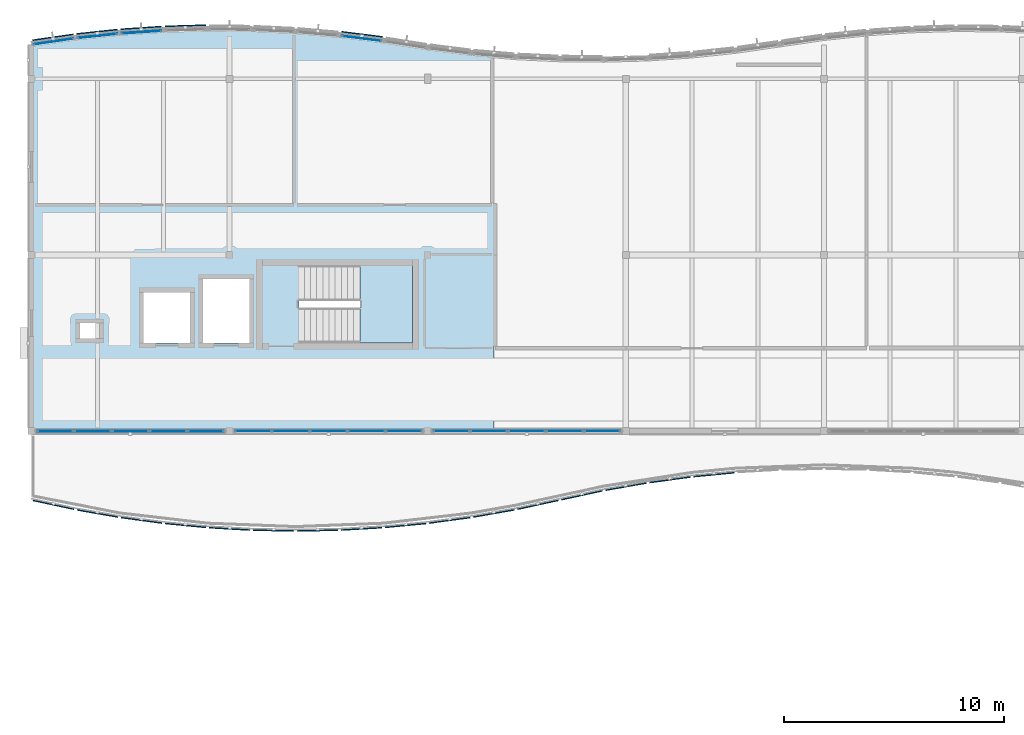
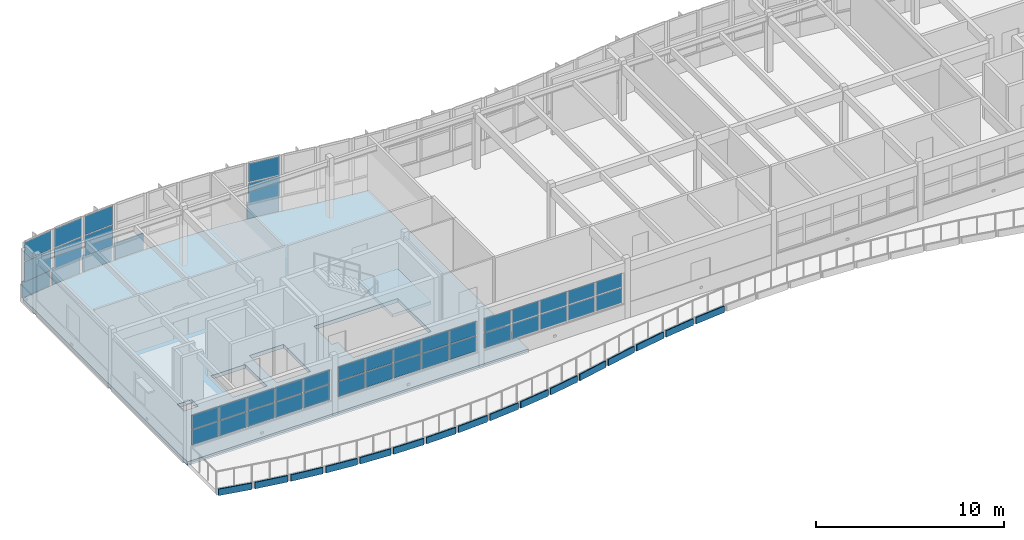
# One storey, part 14 of 33: 59 plates, 2 slabs, 8 elements without a shape of their own.
"""IFC4 building model written with IfcOpenShell, lengths in metres."""

from ifc_helpers import new_model, si_unit, direction, frame, origin, origin_2d, place, context, subcontext, project, spatial, polyline, rectangle, outline, extrude, material, layer, layer_set, type_object, element, aggregate, save


model = new_model("IFC4")

# Units and contexts
model_context = context("Model", 3, precision=1e-05, world=origin(), true_north=direction((0.0, 1.0)))
body_context = subcontext(model_context, "Body", "Model", "MODEL_VIEW")
ifc_project = project(units=[si_unit("LENGTHUNIT", "METRE"), si_unit("AREAUNIT", "SQUARE_METRE"), si_unit("VOLUMEUNIT", "CUBIC_METRE"), si_unit("PLANEANGLEUNIT", "RADIAN"), si_unit("MASSUNIT", "GRAM", prefix="KILO")], contexts=[model_context])

# Site, building, storey
site_placement = place(None, origin())
site = spatial("IfcSite", under=ifc_project, at=site_placement, CompositionType="ELEMENT")
building_placement = place(site_placement, origin())
building = spatial("IfcBuilding", under=site, at=building_placement, Name="Tonlespit Floodbar School", CompositionType="ELEMENT")
storey_placement = place(building_placement, frame((0.0, 0.0, 16.199951171875)))
storey = spatial("IfcBuildingStorey", under=building, at=storey_placement, Name="L04", CompositionType="ELEMENT", Elevation=16.199951171875)

# Curtain wall, plates
ifc_material_1 = material(Name="Anodised Aluminium", Category="aluminium")
ifc_layer_1 = layer(ifc_material_1, 0.159912109375)
ifc_layer_set_1 = layer_set([ifc_layer_1], Name="Anodised Aluminium")
curtain_wall_type_1 = type_object("IfcCurtainWallType", Name="CurtainWall_1950x2700", PredefinedType="NOTDEFINED", material=ifc_layer_set_1)
curtain_wall_1_placement = place(storey_placement, origin())
curtain_wall_1 = element("IfcCurtainWall", 1, at=curtain_wall_1_placement, inside=storey, type_object=curtain_wall_type_1, Name="L04 unitised curtain wall 0173", PredefinedType="NOTDEFINED")
ifc_material_2 = material(Name="Laminated Low-E Glass", Category="glass")
ifc_layer_2 = layer(ifc_material_2, 0.028076171875)
ifc_layer_set_2 = layer_set([ifc_layer_2], Name="Laminated Low-E Glass")
plate_type_1 = type_object("IfcPlateType", Name="CW_Panel_Glaz_28", PredefinedType="CURTAIN_PANEL", material=ifc_layer_set_2)
plate_1_placement = place(storey_placement, frame((59.0, 121.831787109375, 1.01513671875), z_axis=(0.0, 0.0, 1.0), x_axis=(0.992155002499, -0.125013803299, 0.0)))
plate_1 = element("IfcPlate", 2, at=plate_1_placement, type_object=plate_type_1, Name="CW-04 panel 1.1", PredefinedType="CURTAIN_PANEL", context=body_context, shape_type="SweptSolid", body=[
    extrude(rectangle(XDim=1.805908203125, YDim=0.028076171875, at=origin_2d()), origin(), (0.0, 0.0, 1.0), 1.306396484375),
])
plate_2_placement = place(storey_placement, frame((59.0, 121.831787109375, 2.38671875), z_axis=(0.0, 0.0, 1.0), x_axis=(0.992155002499, -0.125013803299, 0.0)))
plate_2 = element("IfcPlate", 3, at=plate_2_placement, type_object=plate_type_1, Name="CW-04 panel 1.2", PredefinedType="CURTAIN_PANEL", context=body_context, shape_type="SweptSolid", body=[
    extrude(rectangle(XDim=1.805908203125, YDim=0.028076171875, at=origin_2d()), origin(), (0.0, 0.0, 1.0), 1.198486328125),
])
aggregate(curtain_wall_1, [plate_1, plate_2])

ifc_layer_3 = layer(ifc_material_1, 0.159912109375)
ifc_layer_set_3 = layer_set([ifc_layer_3], Name="Anodised Aluminium")
curtain_wall_type_2 = type_object("IfcCurtainWallType", Name="CurtainWall_8600x2050", PredefinedType="NOTDEFINED", material=ifc_layer_set_3)
curtain_wall_2_placement = place(storey_placement, origin())
curtain_wall_2 = element("IfcCurtainWall", 4, at=curtain_wall_2_placement, inside=storey, type_object=curtain_wall_type_2, Name="L04 unitised curtain wall 0205", PredefinedType="NOTDEFINED")
plate_3_placement = place(storey_placement, frame((69.923828125, 104.0, 1.01513671875), z_axis=(0.0, 0.0, 1.0), x_axis=(-1.0, 0.0, 0.0)))
plate_3 = element("IfcPlate", 5, at=plate_3_placement, type_object=plate_type_1, Name="CW-08 panel 1.1", PredefinedType="CURTAIN_PANEL", context=body_context, shape_type="SweptSolid", body=[
    extrude(rectangle(XDim=1.62255859375, YDim=0.028076171875, at=origin_2d()), origin(), (0.0, 0.0, 1.0), 0.97265625),
])
plate_4_placement = place(storey_placement, frame((69.923828125, 104.0, 2.052734375), z_axis=(0.0, 0.0, 1.0), x_axis=(-1.0, 0.0, 0.0)))
plate_4 = element("IfcPlate", 6, at=plate_4_placement, type_object=plate_type_1, Name="CW-08 panel 1.2", PredefinedType="CURTAIN_PANEL", context=body_context, shape_type="SweptSolid", body=[
    extrude(rectangle(XDim=1.62255859375, YDim=0.028076171875, at=origin_2d()), origin(), (0.0, 0.0, 1.0), 0.890380859375),
])
plate_5_placement = place(storey_placement, frame((68.219970703125, 104.0, 1.01513671875), z_axis=(0.0, 0.0, 1.0), x_axis=(-1.0, 0.0, 0.0)))
plate_5 = element("IfcPlate", 7, at=plate_5_placement, type_object=plate_type_1, Name="CW-08 panel 2.1", PredefinedType="CURTAIN_PANEL", context=body_context, shape_type="SweptSolid", body=[
    extrude(rectangle(XDim=1.655029296875, YDim=0.028076171875, at=origin_2d()), origin(), (0.0, 0.0, 1.0), 0.97265625),
])
plate_6_placement = place(storey_placement, frame((68.219970703125, 104.0, 2.052734375), z_axis=(0.0, 0.0, 1.0), x_axis=(-1.0, 0.0, 0.0)))
plate_6 = element("IfcPlate", 8, at=plate_6_placement, type_object=plate_type_1, Name="CW-08 panel 2.2", PredefinedType="CURTAIN_PANEL", context=body_context, shape_type="SweptSolid", body=[
    extrude(rectangle(XDim=1.655029296875, YDim=0.028076171875, at=origin_2d()), origin(), (0.0, 0.0, 1.0), 0.890380859375),
])
plate_7_placement = place(storey_placement, frame((66.5, 104.0, 1.01513671875), z_axis=(0.0, 0.0, 1.0), x_axis=(-1.0, 0.0, 0.0)))
plate_7 = element("IfcPlate", 9, at=plate_7_placement, type_object=plate_type_1, Name="CW-08 panel 3.1", PredefinedType="CURTAIN_PANEL", context=body_context, shape_type="SweptSolid", body=[
    extrude(rectangle(XDim=1.655029296875, YDim=0.028076171875, at=origin_2d()), origin(), (0.0, 0.0, 1.0), 0.97265625),
])
plate_8_placement = place(storey_placement, frame((66.5, 104.0, 2.052734375), z_axis=(0.0, 0.0, 1.0), x_axis=(-1.0, 0.0, 0.0)))
plate_8 = element("IfcPlate", 10, at=plate_8_placement, type_object=plate_type_1, Name="CW-08 panel 3.2", PredefinedType="CURTAIN_PANEL", context=body_context, shape_type="SweptSolid", body=[
    extrude(rectangle(XDim=1.655029296875, YDim=0.028076171875, at=origin_2d()), origin(), (0.0, 0.0, 1.0), 0.890380859375),
])
plate_9_placement = place(storey_placement, frame((64.780029296875, 104.0, 1.01513671875), z_axis=(0.0, 0.0, 1.0), x_axis=(-1.0, 0.0, 0.0)))
plate_9 = element("IfcPlate", 11, at=plate_9_placement, type_object=plate_type_1, Name="CW-08 panel 4.1", PredefinedType="CURTAIN_PANEL", context=body_context, shape_type="SweptSolid", body=[
    extrude(rectangle(XDim=1.655029296875, YDim=0.028076171875, at=origin_2d()), origin(), (0.0, 0.0, 1.0), 0.97265625),
])
plate_10_placement = place(storey_placement, frame((64.780029296875, 104.0, 2.052734375), z_axis=(0.0, 0.0, 1.0), x_axis=(-1.0, 0.0, 0.0)))
plate_10 = element("IfcPlate", 12, at=plate_10_placement, type_object=plate_type_1, Name="CW-08 panel 4.2", PredefinedType="CURTAIN_PANEL", context=body_context, shape_type="SweptSolid", body=[
    extrude(rectangle(XDim=1.655029296875, YDim=0.028076171875, at=origin_2d()), origin(), (0.0, 0.0, 1.0), 0.890380859375),
])
plate_11_placement = place(storey_placement, frame((63.076171875, 104.0, 1.01513671875), z_axis=(0.0, 0.0, 1.0), x_axis=(-1.0, 0.0, 0.0)))
plate_11 = element("IfcPlate", 13, at=plate_11_placement, type_object=plate_type_1, Name="CW-08 panel 5.1", PredefinedType="CURTAIN_PANEL", context=body_context, shape_type="SweptSolid", body=[
    extrude(rectangle(XDim=1.62255859375, YDim=0.028076171875, at=origin_2d()), origin(), (0.0, 0.0, 1.0), 0.97265625),
])
plate_12_placement = place(storey_placement, frame((63.076171875, 104.0, 2.052734375), z_axis=(0.0, 0.0, 1.0), x_axis=(-1.0, 0.0, 0.0)))
plate_12 = element("IfcPlate", 14, at=plate_12_placement, type_object=plate_type_1, Name="CW-08 panel 5.2", PredefinedType="CURTAIN_PANEL", context=body_context, shape_type="SweptSolid", body=[
    extrude(rectangle(XDim=1.62255859375, YDim=0.028076171875, at=origin_2d()), origin(), (0.0, 0.0, 1.0), 0.890380859375),
])
aggregate(curtain_wall_2, [plate_3, plate_4, plate_5, plate_6, plate_7, plate_8, plate_9, plate_10, plate_11, plate_12])

curtain_wall_3_placement = place(storey_placement, origin())
curtain_wall_3 = element("IfcCurtainWall", 15, at=curtain_wall_3_placement, inside=storey, type_object=curtain_wall_type_1, Name="L04 unitised curtain wall 0166", PredefinedType="NOTDEFINED")
ifc_layer_4 = layer(ifc_material_2, 0.031982421875)
ifc_layer_set_4 = layer_set([ifc_layer_4], Name="Laminated Low-E Glass")
plate_type_2 = type_object("IfcPlateType", Name="CW_Panel_Glaz_32", PredefinedType="CURTAIN_PANEL", material=ifc_layer_set_4)
plate_13_placement = place(storey_placement, frame((45.0, 121.69580078125, 1.01513671875), z_axis=(0.0, 0.0, 1.0), x_axis=(0.989541561858, 0.144248041079, 0.0)))
plate_13 = element("IfcPlate", 16, at=plate_13_placement, type_object=plate_type_2, Name="CW-04 panel 1.1", PredefinedType="CURTAIN_PANEL", context=body_context, shape_type="SweptSolid", body=[
    extrude(rectangle(XDim=1.81103515625, YDim=0.031982421875, at=origin_2d()), origin(), (0.0, 0.0, 1.0), 1.306396484375),
])
plate_14_placement = place(storey_placement, frame((45.0, 121.69580078125, 2.38671875), z_axis=(0.0, 0.0, 1.0), x_axis=(0.989541561858, 0.144248041079, 0.0)))
plate_14 = element("IfcPlate", 17, at=plate_14_placement, type_object=plate_type_2, Name="CW-04 panel 1.2", PredefinedType="CURTAIN_PANEL", context=body_context, shape_type="SweptSolid", body=[
    extrude(rectangle(XDim=1.81103515625, YDim=0.031982421875, at=origin_2d()), origin(), (0.0, 0.0, 1.0), 1.198486328125),
])
aggregate(curtain_wall_3, [plate_13, plate_14])

curtain_wall_4_placement = place(storey_placement, origin())
curtain_wall_4 = element("IfcCurtainWall", 18, at=curtain_wall_4_placement, inside=storey, type_object=curtain_wall_type_2, Name="L04 unitised curtain wall 0206", PredefinedType="NOTDEFINED")
plate_15_placement = place(storey_placement, frame((60.923828125, 104.0, 1.01513671875), z_axis=(0.0, 0.0, 1.0), x_axis=(-1.0, 0.0, 0.0)))
plate_15 = element("IfcPlate", 19, at=plate_15_placement, type_object=plate_type_2, Name="CW-08 panel 1.1", PredefinedType="CURTAIN_PANEL", context=body_context, shape_type="SweptSolid", body=[
    extrude(rectangle(XDim=1.62255859375, YDim=0.031982421875, at=origin_2d()), origin(), (0.0, 0.0, 1.0), 0.9736328125),
])
plate_16_placement = place(storey_placement, frame((60.923828125, 104.0, 2.0537109375), z_axis=(0.0, 0.0, 1.0), x_axis=(-1.0, 0.0, 0.0)))
plate_16 = element("IfcPlate", 20, at=plate_16_placement, type_object=plate_type_2, Name="CW-08 panel 1.2", PredefinedType="CURTAIN_PANEL", context=body_context, shape_type="SweptSolid", body=[
    extrude(rectangle(XDim=1.62255859375, YDim=0.031982421875, at=origin_2d()), origin(), (0.0, 0.0, 1.0), 0.891357421875),
])
plate_17_placement = place(storey_placement, frame((59.219970703125, 104.0, 1.01513671875), z_axis=(0.0, 0.0, 1.0), x_axis=(-1.0, 0.0, 0.0)))
plate_17 = element("IfcPlate", 21, at=plate_17_placement, type_object=plate_type_2, Name="CW-08 panel 2.1", PredefinedType="CURTAIN_PANEL", context=body_context, shape_type="SweptSolid", body=[
    extrude(rectangle(XDim=1.655029296875, YDim=0.031982421875, at=origin_2d()), origin(), (0.0, 0.0, 1.0), 0.9736328125),
])
plate_18_placement = place(storey_placement, frame((59.219970703125, 104.0, 2.0537109375), z_axis=(0.0, 0.0, 1.0), x_axis=(-1.0, 0.0, 0.0)))
plate_18 = element("IfcPlate", 22, at=plate_18_placement, type_object=plate_type_2, Name="CW-08 panel 2.2", PredefinedType="CURTAIN_PANEL", context=body_context, shape_type="SweptSolid", body=[
    extrude(rectangle(XDim=1.655029296875, YDim=0.031982421875, at=origin_2d()), origin(), (0.0, 0.0, 1.0), 0.891357421875),
])
plate_19_placement = place(storey_placement, frame((57.5, 104.0, 1.01513671875), z_axis=(0.0, 0.0, 1.0), x_axis=(-1.0, 0.0, 0.0)))
plate_19 = element("IfcPlate", 23, at=plate_19_placement, type_object=plate_type_2, Name="CW-08 panel 3.1", PredefinedType="CURTAIN_PANEL", context=body_context, shape_type="SweptSolid", body=[
    extrude(rectangle(XDim=1.655029296875, YDim=0.031982421875, at=origin_2d()), origin(), (0.0, 0.0, 1.0), 0.9736328125),
])
plate_20_placement = place(storey_placement, frame((57.5, 104.0, 2.0537109375), z_axis=(0.0, 0.0, 1.0), x_axis=(-1.0, 0.0, 0.0)))
plate_20 = element("IfcPlate", 24, at=plate_20_placement, type_object=plate_type_2, Name="CW-08 panel 3.2", PredefinedType="CURTAIN_PANEL", context=body_context, shape_type="SweptSolid", body=[
    extrude(rectangle(XDim=1.655029296875, YDim=0.031982421875, at=origin_2d()), origin(), (0.0, 0.0, 1.0), 0.891357421875),
])
plate_21_placement = place(storey_placement, frame((55.780029296875, 104.0, 1.01513671875), z_axis=(0.0, 0.0, 1.0), x_axis=(-1.0, 0.0, 0.0)))
plate_21 = element("IfcPlate", 25, at=plate_21_placement, type_object=plate_type_2, Name="CW-08 panel 4.1", PredefinedType="CURTAIN_PANEL", context=body_context, shape_type="SweptSolid", body=[
    extrude(rectangle(XDim=1.655029296875, YDim=0.031982421875, at=origin_2d()), origin(), (0.0, 0.0, 1.0), 0.9736328125),
])
plate_22_placement = place(storey_placement, frame((55.780029296875, 104.0, 2.0537109375), z_axis=(0.0, 0.0, 1.0), x_axis=(-1.0, 0.0, 0.0)))
plate_22 = element("IfcPlate", 26, at=plate_22_placement, type_object=plate_type_2, Name="CW-08 panel 4.2", PredefinedType="CURTAIN_PANEL", context=body_context, shape_type="SweptSolid", body=[
    extrude(rectangle(XDim=1.655029296875, YDim=0.031982421875, at=origin_2d()), origin(), (0.0, 0.0, 1.0), 0.891357421875),
])
plate_23_placement = place(storey_placement, frame((54.076171875, 104.0, 1.01513671875), z_axis=(0.0, 0.0, 1.0), x_axis=(-1.0, 0.0, 0.0)))
plate_23 = element("IfcPlate", 27, at=plate_23_placement, type_object=plate_type_2, Name="CW-08 panel 5.1", PredefinedType="CURTAIN_PANEL", context=body_context, shape_type="SweptSolid", body=[
    extrude(rectangle(XDim=1.62255859375, YDim=0.031982421875, at=origin_2d()), origin(), (0.0, 0.0, 1.0), 0.9736328125),
])
plate_24_placement = place(storey_placement, frame((54.076171875, 104.0, 2.0537109375), z_axis=(0.0, 0.0, 1.0), x_axis=(-1.0, 0.0, 0.0)))
plate_24 = element("IfcPlate", 28, at=plate_24_placement, type_object=plate_type_2, Name="CW-08 panel 5.2", PredefinedType="CURTAIN_PANEL", context=body_context, shape_type="SweptSolid", body=[
    extrude(rectangle(XDim=1.62255859375, YDim=0.031982421875, at=origin_2d()), origin(), (0.0, 0.0, 1.0), 0.891357421875),
])
aggregate(curtain_wall_4, [plate_15, plate_16, plate_17, plate_18, plate_19, plate_20, plate_21, plate_22, plate_23, plate_24])

curtain_wall_5_placement = place(storey_placement, origin())
curtain_wall_5 = element("IfcCurtainWall", 29, at=curtain_wall_5_placement, inside=storey, type_object=curtain_wall_type_1, Name="L04 unitised curtain wall 0167", PredefinedType="NOTDEFINED")
ifc_layer_5 = layer(ifc_material_2, 0.035888671875)
ifc_layer_set_5 = layer_set([ifc_layer_5], Name="Laminated Low-E Glass")
plate_type_3 = type_object("IfcPlateType", Name="CW_Panel_Glaz_36", PredefinedType="CURTAIN_PANEL", material=ifc_layer_set_5)
plate_25_placement = place(storey_placement, frame((47.0, 121.947998046875, 1.01513671875), z_axis=(0.0, 0.0, 1.0), x_axis=(0.994388797288, 0.105787143968, 0.0)))
plate_25 = element("IfcPlate", 30, at=plate_25_placement, type_object=plate_type_3, Name="CW-04 panel 1.1", PredefinedType="CURTAIN_PANEL", context=body_context, shape_type="SweptSolid", body=[
    extrude(rectangle(XDim=1.80126953125, YDim=0.035888671875, at=origin_2d()), origin(), (0.0, 0.0, 1.0), 1.306396484375),
])
plate_26_placement = place(storey_placement, frame((47.0, 121.947998046875, 2.38671875), z_axis=(0.0, 0.0, 1.0), x_axis=(0.994388797288, 0.105787143968, 0.0)))
plate_26 = element("IfcPlate", 31, at=plate_26_placement, type_object=plate_type_3, Name="CW-04 panel 1.2", PredefinedType="CURTAIN_PANEL", context=body_context, shape_type="SweptSolid", body=[
    extrude(rectangle(XDim=1.80126953125, YDim=0.035888671875, at=origin_2d()), origin(), (0.0, 0.0, 1.0), 1.198486328125),
])
aggregate(curtain_wall_5, [plate_25, plate_26])

curtain_wall_6_placement = place(storey_placement, origin())
curtain_wall_6 = element("IfcCurtainWall", 32, at=curtain_wall_6_placement, inside=storey, type_object=curtain_wall_type_2, Name="L04 unitised curtain wall 0207", PredefinedType="NOTDEFINED")
plate_27_placement = place(storey_placement, frame((51.923828125, 104.0, 1.01513671875), z_axis=(0.0, 0.0, 1.0), x_axis=(-1.0, 0.0, 0.0)))
plate_27 = element("IfcPlate", 33, at=plate_27_placement, type_object=plate_type_3, Name="CW-08 panel 1.1", PredefinedType="CURTAIN_PANEL", context=body_context, shape_type="SweptSolid", body=[
    extrude(rectangle(XDim=1.62255859375, YDim=0.035888671875, at=origin_2d()), origin(), (0.0, 0.0, 1.0), 0.9736328125),
])
plate_28_placement = place(storey_placement, frame((51.923828125, 104.0, 2.0537109375), z_axis=(0.0, 0.0, 1.0), x_axis=(-1.0, 0.0, 0.0)))
plate_28 = element("IfcPlate", 34, at=plate_28_placement, type_object=plate_type_3, Name="CW-08 panel 1.2", PredefinedType="CURTAIN_PANEL", context=body_context, shape_type="SweptSolid", body=[
    extrude(rectangle(XDim=1.62255859375, YDim=0.035888671875, at=origin_2d()), origin(), (0.0, 0.0, 1.0), 0.891357421875),
])
plate_29_placement = place(storey_placement, frame((50.219970703125, 104.0, 1.01513671875), z_axis=(0.0, 0.0, 1.0), x_axis=(-1.0, 0.0, 0.0)))
plate_29 = element("IfcPlate", 35, at=plate_29_placement, type_object=plate_type_3, Name="CW-08 panel 2.1", PredefinedType="CURTAIN_PANEL", context=body_context, shape_type="SweptSolid", body=[
    extrude(rectangle(XDim=1.655029296875, YDim=0.035888671875, at=origin_2d()), origin(), (0.0, 0.0, 1.0), 0.9736328125),
])
plate_30_placement = place(storey_placement, frame((50.219970703125, 104.0, 2.0537109375), z_axis=(0.0, 0.0, 1.0), x_axis=(-1.0, 0.0, 0.0)))
plate_30 = element("IfcPlate", 36, at=plate_30_placement, type_object=plate_type_3, Name="CW-08 panel 2.2", PredefinedType="CURTAIN_PANEL", context=body_context, shape_type="SweptSolid", body=[
    extrude(rectangle(XDim=1.655029296875, YDim=0.035888671875, at=origin_2d()), origin(), (0.0, 0.0, 1.0), 0.891357421875),
])
plate_31_placement = place(storey_placement, frame((48.5, 104.0, 1.01513671875), z_axis=(0.0, 0.0, 1.0), x_axis=(-1.0, 0.0, 0.0)))
plate_31 = element("IfcPlate", 37, at=plate_31_placement, type_object=plate_type_3, Name="CW-08 panel 3.1", PredefinedType="CURTAIN_PANEL", context=body_context, shape_type="SweptSolid", body=[
    extrude(rectangle(XDim=1.655029296875, YDim=0.035888671875, at=origin_2d()), origin(), (0.0, 0.0, 1.0), 0.9736328125),
])
plate_32_placement = place(storey_placement, frame((48.5, 104.0, 2.0537109375), z_axis=(0.0, 0.0, 1.0), x_axis=(-1.0, 0.0, 0.0)))
plate_32 = element("IfcPlate", 38, at=plate_32_placement, type_object=plate_type_3, Name="CW-08 panel 3.2", PredefinedType="CURTAIN_PANEL", context=body_context, shape_type="SweptSolid", body=[
    extrude(rectangle(XDim=1.655029296875, YDim=0.035888671875, at=origin_2d()), origin(), (0.0, 0.0, 1.0), 0.891357421875),
])
plate_33_placement = place(storey_placement, frame((46.780029296875, 104.0, 1.01513671875), z_axis=(0.0, 0.0, 1.0), x_axis=(-1.0, 0.0, 0.0)))
plate_33 = element("IfcPlate", 39, at=plate_33_placement, type_object=plate_type_3, Name="CW-08 panel 4.1", PredefinedType="CURTAIN_PANEL", context=body_context, shape_type="SweptSolid", body=[
    extrude(rectangle(XDim=1.655029296875, YDim=0.035888671875, at=origin_2d()), origin(), (0.0, 0.0, 1.0), 0.9736328125),
])
plate_34_placement = place(storey_placement, frame((46.780029296875, 104.0, 2.0537109375), z_axis=(0.0, 0.0, 1.0), x_axis=(-1.0, 0.0, 0.0)))
plate_34 = element("IfcPlate", 40, at=plate_34_placement, type_object=plate_type_3, Name="CW-08 panel 4.2", PredefinedType="CURTAIN_PANEL", context=body_context, shape_type="SweptSolid", body=[
    extrude(rectangle(XDim=1.655029296875, YDim=0.035888671875, at=origin_2d()), origin(), (0.0, 0.0, 1.0), 0.891357421875),
])
plate_35_placement = place(storey_placement, frame((45.076171875, 104.0, 1.01513671875), z_axis=(0.0, 0.0, 1.0), x_axis=(-1.0, 0.0, 0.0)))
plate_35 = element("IfcPlate", 41, at=plate_35_placement, type_object=plate_type_3, Name="CW-08 panel 5.1", PredefinedType="CURTAIN_PANEL", context=body_context, shape_type="SweptSolid", body=[
    extrude(rectangle(XDim=1.62255859375, YDim=0.035888671875, at=origin_2d()), origin(), (0.0, 0.0, 1.0), 0.9736328125),
])
plate_36_placement = place(storey_placement, frame((45.076171875, 104.0, 2.0537109375), z_axis=(0.0, 0.0, 1.0), x_axis=(-1.0, 0.0, 0.0)))
plate_36 = element("IfcPlate", 42, at=plate_36_placement, type_object=plate_type_3, Name="CW-08 panel 5.2", PredefinedType="CURTAIN_PANEL", context=body_context, shape_type="SweptSolid", body=[
    extrude(rectangle(XDim=1.62255859375, YDim=0.035888671875, at=origin_2d()), origin(), (0.0, 0.0, 1.0), 0.891357421875),
])
aggregate(curtain_wall_6, [plate_27, plate_28, plate_29, plate_30, plate_31, plate_32, plate_33, plate_34, plate_35, plate_36])

ifc_layer_6 = layer(ifc_material_1, 0.159912109375)
ifc_layer_set_6 = layer_set([ifc_layer_6], Name="Anodised Aluminium")
curtain_wall_type_3 = type_object("IfcCurtainWallType", Name="CurtainWall_1900x2700", PredefinedType="NOTDEFINED", material=ifc_layer_set_6)
curtain_wall_7_placement = place(storey_placement, origin())
curtain_wall_7 = element("IfcCurtainWall", 43, at=curtain_wall_7_placement, inside=storey, type_object=curtain_wall_type_3, Name="L04 unitised curtain wall 0168", PredefinedType="NOTDEFINED")
ifc_layer_7 = layer(ifc_material_2, 0.0419921875)
ifc_layer_set_7 = layer_set([ifc_layer_7], Name="Laminated Low-E Glass")
plate_type_4 = type_object("IfcPlateType", Name="CW_Panel_Glaz_42", PredefinedType="CURTAIN_PANEL", material=ifc_layer_set_7)
plate_37_placement = place(storey_placement, frame((49.0, 122.121826171875, 1.01513671875), z_axis=(0.0, 0.0, 1.0), x_axis=(0.99773010165, 0.067339767311, 0.0)))
plate_37 = element("IfcPlate", 44, at=plate_37_placement, type_object=plate_type_4, Name="CW-05 panel 1.1", PredefinedType="CURTAIN_PANEL", context=body_context, shape_type="SweptSolid", body=[
    extrude(rectangle(XDim=1.794677734375, YDim=0.0419921875, at=origin_2d()), origin(), (0.0, 0.0, 1.0), 1.306396484375),
])
plate_38_placement = place(storey_placement, frame((49.0, 122.121826171875, 2.38671875), z_axis=(0.0, 0.0, 1.0), x_axis=(0.99773010165, 0.067339767311, 0.0)))
plate_38 = element("IfcPlate", 45, at=plate_38_placement, type_object=plate_type_4, Name="CW-05 panel 1.2", PredefinedType="CURTAIN_PANEL", context=body_context, shape_type="SweptSolid", body=[
    extrude(rectangle(XDim=1.794677734375, YDim=0.0419921875, at=origin_2d()), origin(), (0.0, 0.0, 1.0), 1.198486328125),
])
aggregate(curtain_wall_7, [plate_37, plate_38])

# Plates
ifc_material_3 = material(Name="White Architectural Aluminium", Category="aluminium")
ifc_layer_8 = layer(ifc_material_3, 0.06494140625)
ifc_layer_set_8 = layer_set([ifc_layer_8], Name="White Architectural Aluminium")
plate_type_5 = type_object("IfcPlateType", Name="FacadeRibbon_White_65", PredefinedType="SHEET", material=ifc_layer_set_8)
plate_39_placement = place(storey_placement, frame((44.9736328125, 121.8759765625, -0.1201171875), z_axis=(0.0, 0.0, 1.0), x_axis=(0.989537627347, 0.144275029245, 0.0)))
element("IfcPlate", 46, at=plate_39_placement, inside=storey, type_object=plate_type_5, Name="L04 flowing white street spandrel ribbon 0297", PredefinedType="SHEET", context=body_context, shape_type="SweptSolid", body=[
    extrude(rectangle(XDim=1.861083984375, YDim=0.06494140625, at=origin_2d()), origin(), (0.0, 0.0, 1.0), 1.070068359375),
])
plate_40_placement = place(storey_placement, frame((46.980712890625, 122.12890625, -0.1201171875), z_axis=(0.0, 0.0, 1.0), x_axis=(0.99439234017, 0.105753835922, 0.0)))
element("IfcPlate", 47, at=plate_40_placement, inside=storey, type_object=plate_type_5, Name="L04 flowing white street spandrel ribbon 0298", PredefinedType="SHEET", context=body_context, shape_type="SweptSolid", body=[
    extrude(rectangle(XDim=1.851318359375, YDim=0.06494140625, at=origin_2d()), origin(), (0.0, 0.0, 1.0), 1.070068359375),
])
plate_41_placement = place(storey_placement, frame((48.98779296875, 122.303466796875, -0.1201171875), z_axis=(0.0, 0.0, 1.0), x_axis=(0.997729639049, 0.067346621018, 0.0)))
element("IfcPlate", 48, at=plate_41_placement, inside=storey, type_object=plate_type_5, Name="L04 flowing white street spandrel ribbon 0299", PredefinedType="SHEET", context=body_context, shape_type="SweptSolid", body=[
    extrude(rectangle(XDim=1.844482421875, YDim=0.06494140625, at=origin_2d()), origin(), (0.0, 0.0, 1.0), 1.070068359375),
])
plate_42_placement = place(storey_placement, frame((50.994873046875, 122.400146484375, -0.1201171875), z_axis=(0.0, 0.0, 1.0), x_axis=(0.999584110869, 0.02883756748, 0.0)))
element("IfcPlate", 49, at=plate_42_placement, inside=storey, type_object=plate_type_5, Name="L04 flowing white street spandrel ribbon 0300", PredefinedType="SHEET", context=body_context, shape_type="SweptSolid", body=[
    extrude(rectangle(XDim=1.8408203125, YDim=0.06494140625, at=origin_2d()), origin(), (0.0, 0.0, 1.0), 1.070068359375),
])
plate_43_placement = place(storey_placement, frame((59.022705078125, 122.01220703125, -0.1201171875), z_axis=(0.0, 0.0, 1.0), x_axis=(0.99215533612, -0.125011155539, 0.0)))
element("IfcPlate", 50, at=plate_43_placement, inside=storey, type_object=plate_type_5, Name="L04 flowing white street spandrel ribbon 0304", PredefinedType="SHEET", context=body_context, shape_type="SweptSolid", body=[
    extrude(rectangle(XDim=1.855712890625, YDim=0.06494140625, at=origin_2d()), origin(), (0.0, 0.0, 1.0), 1.070068359375),
])
plate_44_placement = place(storey_placement, frame((45.0, 100.66162109375, -0.2998046875), z_axis=(0.0, 0.0, 1.0), x_axis=(0.977356843161, -0.21159773422, 0.0)))
element("IfcPlate", 51, at=plate_44_placement, inside=storey, type_object=plate_type_5, Name="L04 flowing white street spandrel ribbon 0344", PredefinedType="SHEET", context=body_context, shape_type="SweptSolid", body=[
    extrude(rectangle(XDim=1.88623046875, YDim=0.06494140625, at=origin_2d()), origin(), (0.0, 0.0, 1.0), 0.419921875),
])
plate_45_placement = place(storey_placement, frame((47.0, 100.269287109375, -0.2998046875), z_axis=(0.0, 0.0, 1.0), x_axis=(0.984904884962, -0.17309641122, 0.0)))
element("IfcPlate", 52, at=plate_45_placement, inside=storey, type_object=plate_type_5, Name="L04 flowing white street spandrel ribbon 0345", PredefinedType="SHEET", context=body_context, shape_type="SweptSolid", body=[
    extrude(rectangle(XDim=1.87060546875, YDim=0.06494140625, at=origin_2d()), origin(), (0.0, 0.0, 1.0), 0.419921875),
])
plate_46_placement = place(storey_placement, frame((49.0, 99.957763671875, -0.2998046875), z_axis=(0.0, 0.0, 1.0), x_axis=(0.990898113281, -0.13461400037, 0.0)))
element("IfcPlate", 53, at=plate_46_placement, inside=storey, type_object=plate_type_5, Name="L04 flowing white street spandrel ribbon 0346", PredefinedType="SHEET", context=body_context, shape_type="SweptSolid", body=[
    extrude(rectangle(XDim=1.8583984375, YDim=0.06494140625, at=origin_2d()), origin(), (0.0, 0.0, 1.0), 0.419921875),
])
plate_47_placement = place(storey_placement, frame((51.0, 99.72509765625, -0.2998046875), z_axis=(0.0, 0.0, 1.0), x_axis=(0.995361841764, -0.096201891669, 0.0)))
element("IfcPlate", 54, at=plate_47_placement, inside=storey, type_object=plate_type_5, Name="L04 flowing white street spandrel ribbon 0347", PredefinedType="SHEET", context=body_context, shape_type="SweptSolid", body=[
    extrude(rectangle(XDim=1.849365234375, YDim=0.06494140625, at=origin_2d()), origin(), (0.0, 0.0, 1.0), 0.419921875),
])
plate_48_placement = place(storey_placement, frame((53.0, 99.57080078125, -0.2998046875), z_axis=(0.0, 0.0, 1.0), x_axis=(0.998333769428, -0.057703421212, 0.0)))
element("IfcPlate", 55, at=plate_48_placement, inside=storey, type_object=plate_type_5, Name="L04 flowing white street spandrel ribbon 0348", PredefinedType="SHEET", context=body_context, shape_type="SweptSolid", body=[
    extrude(rectangle(XDim=1.84326171875, YDim=0.06494140625, at=origin_2d()), origin(), (0.0, 0.0, 1.0), 0.419921875),
])
for number, where, z_axis, x_axis, name in (
    (56, (55.0, 99.49365234375, -0.2998046875), (0.0, 0.0, 1.0), (0.999814772764, -0.01924630259, 0.0), "L04 flowing white street spandrel ribbon 0349"),
    (57, (57.0, 99.49365234375, -0.2998046875), (0.0, 0.0, 1.0), (0.999814772764, 0.01924630259, 0.0), "L04 flowing white street spandrel ribbon 0350"),
):
    element("IfcPlate", number, at=place(storey_placement, frame(where, z_axis=z_axis, x_axis=x_axis)), inside=storey, type_object=plate_type_5, Name=name, PredefinedType="SHEET", context=body_context, shape_type="SweptSolid", body=[
        extrude(rectangle(XDim=1.84033203125, YDim=0.06494140625, at=origin_2d()), origin(), (0.0, 0.0, 1.0), 0.419921875),
    ])
plate_49_placement = place(storey_placement, frame((59.0, 99.57080078125, -0.2998046875), z_axis=(0.0, 0.0, 1.0), x_axis=(0.998333769428, 0.057703421212, 0.0)))
element("IfcPlate", 58, at=plate_49_placement, inside=storey, type_object=plate_type_5, Name="L04 flowing white street spandrel ribbon 0351", PredefinedType="SHEET", context=body_context, shape_type="SweptSolid", body=[
    extrude(rectangle(XDim=1.84326171875, YDim=0.06494140625, at=origin_2d()), origin(), (0.0, 0.0, 1.0), 0.419921875),
])
plate_50_placement = place(storey_placement, frame((61.0, 99.72509765625, -0.2998046875), z_axis=(0.0, 0.0, 1.0), x_axis=(0.995361841764, 0.096201891669, 0.0)))
element("IfcPlate", 59, at=plate_50_placement, inside=storey, type_object=plate_type_5, Name="L04 flowing white street spandrel ribbon 0352", PredefinedType="SHEET", context=body_context, shape_type="SweptSolid", body=[
    extrude(rectangle(XDim=1.849365234375, YDim=0.06494140625, at=origin_2d()), origin(), (0.0, 0.0, 1.0), 0.419921875),
])
plate_51_placement = place(storey_placement, frame((63.0, 99.957763671875, -0.2998046875), z_axis=(0.0, 0.0, 1.0), x_axis=(0.990898113281, 0.13461400037, 0.0)))
element("IfcPlate", 60, at=plate_51_placement, inside=storey, type_object=plate_type_5, Name="L04 flowing white street spandrel ribbon 0353", PredefinedType="SHEET", context=body_context, shape_type="SweptSolid", body=[
    extrude(rectangle(XDim=1.8583984375, YDim=0.06494140625, at=origin_2d()), origin(), (0.0, 0.0, 1.0), 0.419921875),
])
plate_52_placement = place(storey_placement, frame((65.0, 100.269287109375, -0.2998046875), z_axis=(0.0, 0.0, 1.0), x_axis=(0.984904884962, 0.17309641122, 0.0)))
element("IfcPlate", 61, at=plate_52_placement, inside=storey, type_object=plate_type_5, Name="L04 flowing white street spandrel ribbon 0354", PredefinedType="SHEET", context=body_context, shape_type="SweptSolid", body=[
    extrude(rectangle(XDim=1.87060546875, YDim=0.06494140625, at=origin_2d()), origin(), (0.0, 0.0, 1.0), 0.419921875),
])
for number, where, z_axis, x_axis, name in (
    (62, (67.0, 100.66162109375, -0.2998046875), (0.0, 0.0, 1.0), (0.977356843161, 0.21159773422, 0.0), "L04 flowing white street spandrel ribbon 0355"),
    (63, (69.0, 101.094482421875, -0.2998046875), (0.0, 0.0, 1.0), (0.977356843161, 0.21159773422, 0.0), "L04 flowing white street spandrel ribbon 0356"),
):
    element("IfcPlate", number, at=place(storey_placement, frame(where, z_axis=z_axis, x_axis=x_axis)), inside=storey, type_object=plate_type_5, Name=name, PredefinedType="SHEET", context=body_context, shape_type="SweptSolid", body=[
        extrude(rectangle(XDim=1.88623046875, YDim=0.06494140625, at=origin_2d()), origin(), (0.0, 0.0, 1.0), 0.419921875),
    ])
plate_53_placement = place(storey_placement, frame((71.0, 101.48681640625, -0.2998046875), z_axis=(0.0, 0.0, 1.0), x_axis=(0.984904884962, 0.17309641122, 0.0)))
element("IfcPlate", 64, at=plate_53_placement, inside=storey, type_object=plate_type_5, Name="L04 flowing white street spandrel ribbon 0357", PredefinedType="SHEET", context=body_context, shape_type="SweptSolid", body=[
    extrude(rectangle(XDim=1.87060546875, YDim=0.06494140625, at=origin_2d()), origin(), (0.0, 0.0, 1.0), 0.419921875),
])
plate_54_placement = place(storey_placement, frame((73.0, 101.79833984375, -0.2998046875), z_axis=(0.0, 0.0, 1.0), x_axis=(0.990898113281, 0.13461400037, 0.0)))
element("IfcPlate", 65, at=plate_54_placement, inside=storey, type_object=plate_type_5, Name="L04 flowing white street spandrel ribbon 0358", PredefinedType="SHEET", context=body_context, shape_type="SweptSolid", body=[
    extrude(rectangle(XDim=1.8583984375, YDim=0.06494140625, at=origin_2d()), origin(), (0.0, 0.0, 1.0), 0.419921875),
])
plate_55_placement = place(storey_placement, frame((75.0, 102.031005859375, -0.2998046875), z_axis=(0.0, 0.0, 1.0), x_axis=(0.995361841764, 0.096201891669, 0.0)))
element("IfcPlate", 66, at=plate_55_placement, inside=storey, type_object=plate_type_5, Name="L04 flowing white street spandrel ribbon 0359", PredefinedType="SHEET", context=body_context, shape_type="SweptSolid", body=[
    extrude(rectangle(XDim=1.849365234375, YDim=0.06494140625, at=origin_2d()), origin(), (0.0, 0.0, 1.0), 0.419921875),
])

# Stair, slab
ifc_material_4 = material(Name="Concrete C40/50", Category="concrete")
stair_type = type_object("IfcStairType", Name="Stair_Core_Upper", PredefinedType="HALF_TURN_STAIR", material=ifc_material_4)
stair_placement = place(storey_placement, origin())
stair = element("IfcStair", 67, at=stair_placement, inside=storey, type_object=stair_type, Name="L04 Core C1 escape stair", PredefinedType="HALF_TURN_STAIR")
ifc_layer_9 = layer(ifc_material_4, 0.199951171875)
ifc_layer_set_9 = layer_set([ifc_layer_9], Name="Concrete C40/50")
slab_type_1 = type_object("IfcSlabType", Name="Landing_Core_RC200", PredefinedType="LANDING", material=ifc_layer_set_9)
slab_1_placement = place(storey_placement, frame((0.0, 0.0, 1.75)))
slab_1 = element("IfcSlab", 68, at=slab_1_placement, type_object=slab_type_1, Name="ST-C1 landing 1", PredefinedType="LANDING", context=body_context, shape_type="SweptSolid", body=[
    extrude(outline(polyline([(58.919921875, 108.0), (61.300048828125, 108.0), (61.300048828125, 111.5400390625), (58.919921875, 111.5400390625), (58.919921875, 108.0)])), origin(), (0.0, 0.0, 1.0), 0.199951171875),
])
aggregate(stair, [slab_1])

# Slab
ifc_material_5 = material(Name="CLT C24", Category="wood")
ifc_layer_10 = layer(ifc_material_5, 0.248046875)
ifc_layer_set_10 = layer_set([ifc_layer_10], Name="CLT C24")
slab_type_2 = type_object("IfcSlabType", Name="Slab_Floor_CLT_200", PredefinedType="FLOOR", material=ifc_layer_set_10)
slab_2_placement = place(storey_placement, frame((0.0, 0.0, -0.248046875)))
element("IfcSlab", 69, at=slab_2_placement, inside=storey, type_object=slab_type_2, Name="L04 V1 L04 west curved street slab", PredefinedType="FLOOR", context=body_context, shape_type="SweptSolid", body=[
    extrude(outline(polyline([(44.0, 104.0), (65.0, 104.0), (65.0, 121.045654296875), (62.89990234375, 121.27099609375), (60.800048828125, 121.582763671875), (58.699951171875, 121.87841796875), (56.60009765625, 122.08740234375), (54.5, 122.2109375), (52.39990234375, 122.249267578125), (50.300048828125, 122.202880859375), (48.199951171875, 122.0712890625), (46.10009765625, 121.85400390625), (44.0, 121.550048828125), (44.0, 104.0)]), holes=[polyline([(56.5, 108.0), (61.300048828125, 108.0), (61.300048828125, 111.5400390625), (56.14501953125, 111.5400390625), (56.14501953125, 109.6201171875), (56.5, 109.6201171875), (56.5, 108.0)]), polyline([(51.800048828125, 108.0), (53.89990234375, 108.0), (53.89990234375, 110.89990234375), (51.800048828125, 110.89990234375), (51.800048828125, 108.0)]), polyline([(49.10009765625, 108.0), (51.199951171875, 108.0), (51.199951171875, 110.300048828125), (49.10009765625, 110.300048828125), (49.10009765625, 108.0)]), polyline([(46.199951171875, 108.199951171875), (47.10009765625, 108.199951171875), (47.10009765625, 108.89990234375), (46.199951171875, 108.89990234375), (46.199951171875, 108.199951171875)])]), origin(), (0.0, 0.0, 1.0), 0.248046875),
])

save(model, "model.ifc")
